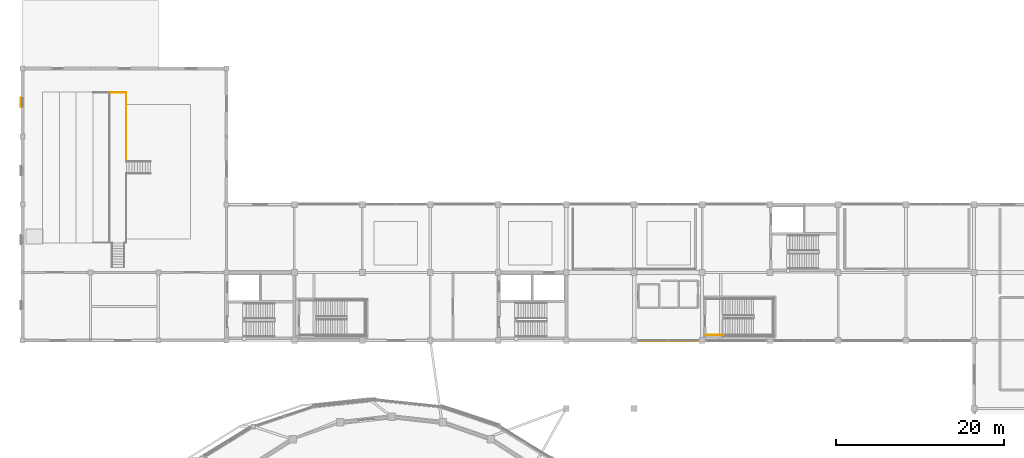
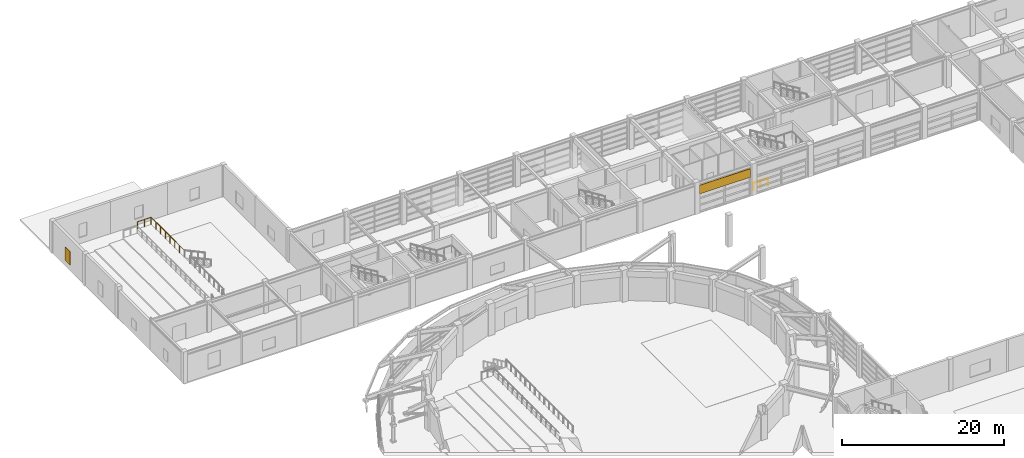
# One storey, part 53 of 56: 2 railings, 2 shading devices.
"""IFC4 building model written with IfcOpenShell, lengths in metres."""

from ifc_helpers import new_model, si_unit, direction, frame, origin, origin_2d, place, context, subcontext, project, spatial, rectangle, circle, extrude, material, layer, layer_set, type_object, element, save


model = new_model("IFC4")

# Units and contexts
model_context = context("Model", 3, precision=1e-05, world=origin(), true_north=direction((0.0, 1.0)))
body_context = subcontext(model_context, "Body", "Model", "MODEL_VIEW")
ifc_project = project(units=[si_unit("LENGTHUNIT", "METRE"), si_unit("AREAUNIT", "SQUARE_METRE"), si_unit("VOLUMEUNIT", "CUBIC_METRE"), si_unit("PLANEANGLEUNIT", "RADIAN"), si_unit("MASSUNIT", "GRAM", prefix="KILO")], contexts=[model_context])

# Site, building, storey
site_placement = place(None, origin())
site = spatial("IfcSite", under=ifc_project, at=site_placement, CompositionType="ELEMENT")
building_placement = place(site_placement, origin())
building = spatial("IfcBuilding", under=site, at=building_placement, Name="Parian Resonance Hall", CompositionType="ELEMENT")
storey_placement = place(building_placement, frame((0.0, 0.0, 5.39990234375)))
storey = spatial("IfcBuildingStorey", under=building, at=storey_placement, Name="L01", CompositionType="ELEMENT", Elevation=5.39990234375)

# Railings
ifc_material_1 = material(Name="Patinated bronze whiplash metalwork")
railing_type = type_object("IfcRailingType", Name="RAIL-HALL-BAL-1120", PredefinedType="BALUSTRADE", material=ifc_material_1)
railing_1_placement = place(storey_placement, frame((81.449951171875, 73.550048828125, 0.0)))
element("IfcRailing", 1, at=railing_1_placement, inside=storey, type_object=railing_type, Name="L01 ST-08 stair guard 8", PredefinedType="BALUSTRADE", context=body_context, shape_type="SweptSolid", body=[
    extrude(circle(Radius=0.02392578125, at=origin_2d()), frame((0.0, 0.0, 1.076171875), z_axis=(1.0, 0.0, 0.0), x_axis=(0.0, 1.0, 0.0)), (0.0, 0.0, 1.0), 2.06005859375),
    extrude(circle(Radius=0.02099609375, at=origin_2d()), origin(), (0.0, 0.0, 1.0), 1.052001953125),
    extrude(circle(Radius=0.02099609375, at=origin_2d()), frame((1.030029296875, 0.0, 0.0)), (0.0, 0.0, 1.0), 1.052001953125),
    extrude(circle(Radius=0.02099609375, at=origin_2d()), frame((2.06005859375, 0.0, 0.0)), (0.0, 0.0, 1.0), 1.052001953125),
])
railing_2_placement = place(storey_placement, frame((12.360107421875, 94.280029296875, 1.5)))
element("IfcRailing", 2, at=railing_2_placement, inside=storey, type_object=railing_type, Name="Auditorium upper tier balustrade GRD-TIER-L01-CH-E", PredefinedType="BALUSTRADE", context=body_context, shape_type="SweptSolid", body=[
    extrude(circle(Radius=0.02392578125, at=origin_2d()), frame((0.0, 0.0, 1.09619140625), z_axis=(0.0, 1.0, 0.0), x_axis=(-1.0, 0.0, 0.0)), (0.0, 0.0, 1.0), 8.179931640625),
    extrude(circle(Radius=0.02392578125, at=origin_2d()), frame((0.0, 8.179931640625, 1.09619140625), z_axis=(-1.0, 0.0, 0.0), x_axis=(0.0, -1.0, 0.0)), (0.0, 0.0, 1.0), 1.920166015625),
    extrude(circle(Radius=0.02099609375, at=origin_2d()), origin(), (0.0, 0.0, 1.0), 1.072021484375),
    extrude(circle(Radius=0.02099609375, at=origin_2d()), frame((0.0, 1.16845703125, 0.0)), (0.0, 0.0, 1.0), 1.072021484375),
    extrude(circle(Radius=0.02099609375, at=origin_2d()), frame((0.0, 2.337158203125, 0.0)), (0.0, 0.0, 1.0), 1.072021484375),
    extrude(circle(Radius=0.02099609375, at=origin_2d()), frame((0.0, 3.505615234375, 0.0)), (0.0, 0.0, 1.0), 1.072021484375),
    extrude(circle(Radius=0.02099609375, at=origin_2d()), frame((0.0, 4.67431640625, 0.0)), (0.0, 0.0, 1.0), 1.072021484375),
    extrude(circle(Radius=0.02099609375, at=origin_2d()), frame((0.0, 5.8427734375, 0.0)), (0.0, 0.0, 1.0), 1.072021484375),
    extrude(circle(Radius=0.02099609375, at=origin_2d()), frame((0.0, 7.011474609375, 0.0)), (0.0, 0.0, 1.0), 1.072021484375),
    extrude(circle(Radius=0.02099609375, at=origin_2d()), frame((0.0, 8.179931640625, 0.0)), (0.0, 0.0, 1.0), 1.072021484375),
    extrude(circle(Radius=0.02099609375, at=origin_2d()), frame((-0.9599609375, 8.179931640625, 0.0)), (0.0, 0.0, 1.0), 1.072021484375),
    extrude(circle(Radius=0.02099609375, at=origin_2d()), frame((-1.920166015625, 8.179931640625, 0.0)), (0.0, 0.0, 1.0), 1.072021484375),
])

# Shading devices
ifc_material_2 = material(Name="Patinated bronze persiana louver")
ifc_layer_1 = layer(ifc_material_2, 0.080078125)
ifc_layer_set_1 = layer_set([ifc_layer_1], Name="Patinated bronze persiana louver")
shading_device_type_1 = type_object("IfcShadingDeviceType", Name="SHD-PERSIANA-JAL", PredefinedType="JALOUSIE", material=ifc_layer_set_1)
shading_device_1_placement = place(storey_placement, frame((76.949951171875, 72.827392578125, 2.73486328125), z_axis=(0.0, 0.0, 1.0), x_axis=(-1.0, 0.0, 0.0)))
element("IfcShadingDevice", 3, at=shading_device_1_placement, inside=storey, type_object=shading_device_type_1, Name="Bronze persiana storm jalousie L01-049", PredefinedType="JALOUSIE", context=body_context, shape_type="SweptSolid", body=[
    extrude(rectangle(XDim=7.239990234375, YDim=0.080078125, at=origin_2d()), origin(), (0.0, 0.0, 1.0), 1.300048828125),
])
ifc_material_3 = material(Name="Patinated bronze persiana louver")
ifc_layer_2 = layer(ifc_material_3, 0.06005859375)
ifc_layer_set_2 = layer_set([ifc_layer_2], Name="Patinated bronze persiana louver")
shading_device_type_2 = type_object("IfcShadingDeviceType", Name="SHD-PERSIANA-SHT", PredefinedType="SHUTTER", material=ifc_layer_set_2)
shading_device_2_placement = place(storey_placement, frame((-0.2080078125, 101.25, 0.85986328125), z_axis=(0.0, 0.0, 1.0), x_axis=(0.0, 1.0, 0.0)))
element("IfcShadingDevice", 4, at=shading_device_2_placement, inside=storey, type_object=shading_device_type_2, Name="Bronze operable persiana shutter L01-014", PredefinedType="SHUTTER", context=body_context, shape_type="SweptSolid", body=[
    extrude(rectangle(XDim=1.169921875, YDim=0.06005859375, at=origin_2d()), origin(), (0.0, 0.0, 1.0), 2.030029296875),
])

save(model, "model.ifc")
